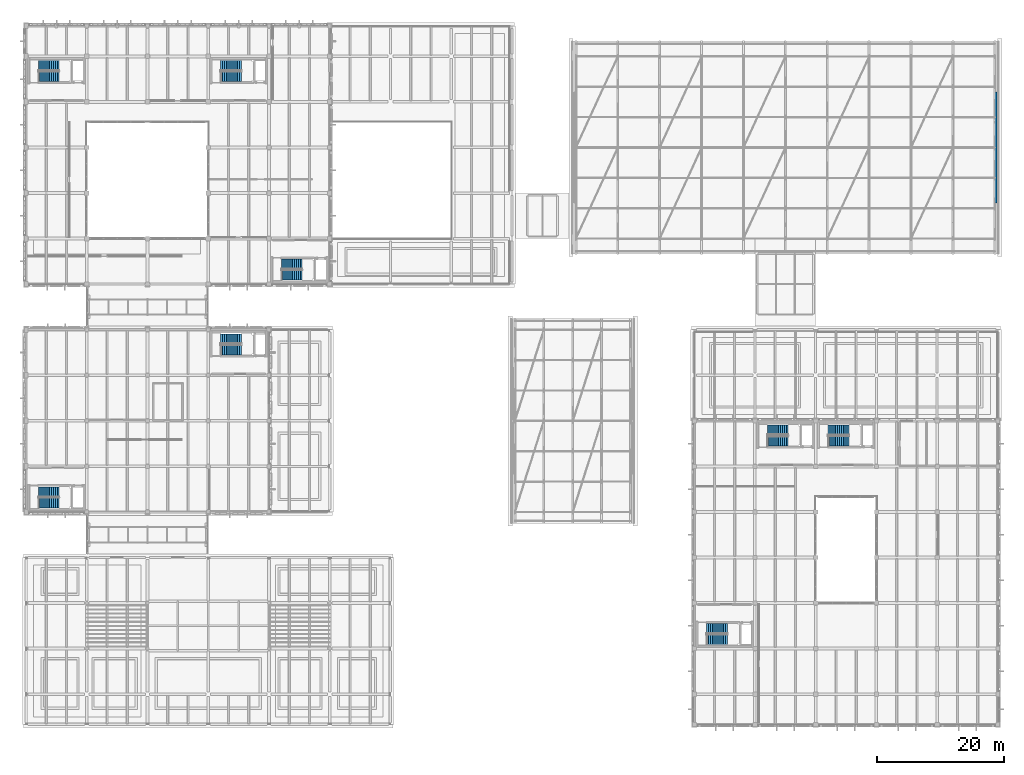
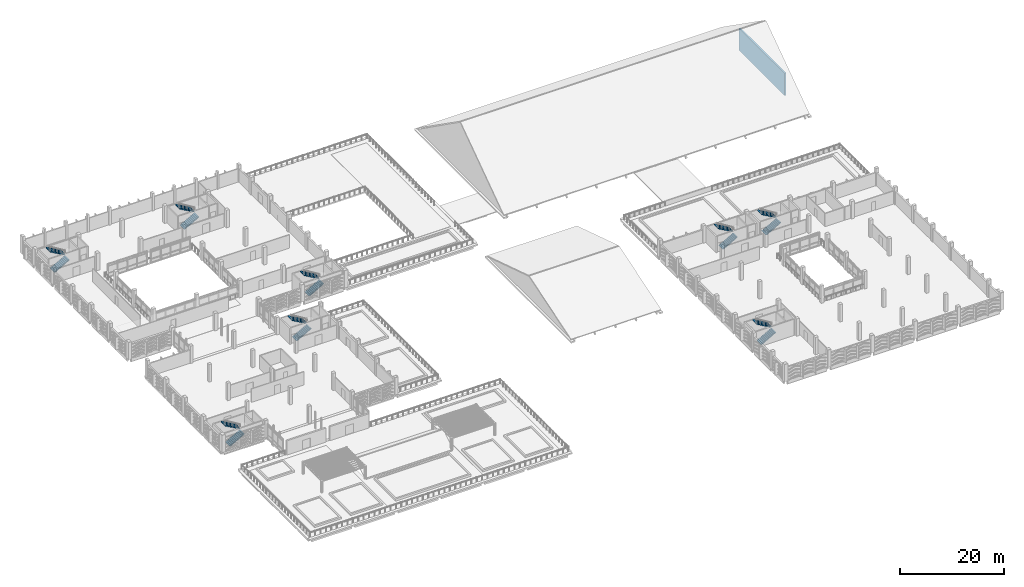
# One storey, part 117 of 134: 16 stair flights, 1 wall, 8 elements without a shape of their own.
"""IFC4 building model written with IfcOpenShell, lengths in metres."""

from ifc_helpers import new_model, si_unit, direction, frame, frame_2d, origin, place, context, subcontext, project, spatial, polyline, rectangle, outline, extrude, material, layer, layer_set, type_object, element, aggregate, save


model = new_model("IFC4")

# Units and contexts
model_context = context("Model", 3, precision=1e-05, world=origin(), true_north=direction((0.0, 1.0)))
body_context = subcontext(model_context, "Body", "Model", "MODEL_VIEW")
ifc_project = project(units=[si_unit("LENGTHUNIT", "METRE"), si_unit("AREAUNIT", "SQUARE_METRE"), si_unit("VOLUMEUNIT", "CUBIC_METRE"), si_unit("PLANEANGLEUNIT", "RADIAN"), si_unit("MASSUNIT", "GRAM", prefix="KILO")], contexts=[model_context])

# Site, building, storey
site_placement = place(None, origin())
site = spatial("IfcSite", under=ifc_project, at=site_placement, CompositionType="ELEMENT")
building_placement = place(site_placement, origin())
building = spatial("IfcBuilding", under=site, at=building_placement, Name="Asteropetra Specialist Clinic", CompositionType="ELEMENT")
storey_placement = place(building_placement, frame((0.0, 0.0, 8.5)))
storey = spatial("IfcBuildingStorey", under=building, at=storey_placement, Name="L02", CompositionType="ELEMENT", Elevation=8.5)

# Wall
ifc_material_1 = material(Name="Pentelic marble ashlar", Category="masonry")
ifc_layer_1 = layer(ifc_material_1, 0.360107421875)
ifc_layer_set_1 = layer_set([ifc_layer_1], Name="Pentelic marble ashlar")
wall_type = type_object("IfcWallType", Name="EW-PENTELIC-360", PredefinedType="SOLIDWALL", material=ifc_layer_set_1)
wall_placement = place(storey_placement, frame((153.25, 82.464111328125, 0.239990234375), z_axis=(0.0, 0.0, 1.0), x_axis=(0.0, 1.0, 0.0)))
element("IfcWall", 1, at=wall_placement, inside=storey, type_object=wall_type, Name="Neoclassical Pediment Backup Wall TP-004", PredefinedType="SOLIDWALL", context=body_context, shape_type="SweptSolid", body=[
    extrude(rectangle(XDim=17.471923828125, YDim=0.360107421875, at=frame_2d((8.73583984375, 0.0))), origin(), (0.0, 0.0, 1.0), 5.218017578125),
])

# Stair, stair flights
ifc_material_2 = material(Name="Concrete C35/45", Category="concrete")
stair_type_1 = type_object("IfcStairType", Name="STR-DOG-155", PredefinedType="TWO_STRAIGHT_RUN_STAIR", material=ifc_material_2)
stair_1_placement = place(storey_placement, origin())
stair_1 = element("IfcStair", 2, at=stair_1_placement, inside=storey, type_object=stair_type_1, Name="Type I Stair ST10-L02", PredefinedType="TWO_STRAIGHT_RUN_STAIR")
ifc_material_3 = material(Name="Concrete C35/45", Category="concrete")
ifc_layer_2 = layer(ifc_material_3, 0.179931640625)
ifc_layer_set_2 = layer_set([ifc_layer_2], Name="Concrete C35/45")
stair_flight_type_1 = type_object("IfcStairFlightType", Name="SFL-STR-155", PredefinedType="STRAIGHT", material=ifc_layer_set_2)
stair_flight_1_placement = place(storey_placement, frame((117.14990234375, 44.794921875, 0.0), z_axis=(0.0, 0.0, 1.0), x_axis=(1.0, 0.0, 0.0)))
stair_flight_1 = element("IfcStairFlight", 3, at=stair_flight_1_placement, type_object=stair_flight_type_1, Name="ST10-L02 flight 1", NumberOfRisers=12, NumberOfTreads=11, PredefinedType="STRAIGHT", RiserHeight=0.17, TreadLength=0.3, context=body_context, shape_type="SweptSolid", body=[
    extrude(outline(polyline([(0.0, 0.0), (0.0, 0.169921875), (0.300048828125, 0.169921875), (0.300048828125, 0.340087890625), (0.60009765625, 0.340087890625), (0.60009765625, 0.510009765625), (0.89990234375, 0.510009765625), (0.89990234375, 0.679931640625), (1.199951171875, 0.679931640625), (1.199951171875, 0.85009765625), (1.5, 0.85009765625), (1.5, 1.02001953125), (1.800048828125, 1.02001953125), (1.800048828125, 1.18994140625), (2.10009765625, 1.18994140625), (2.10009765625, 1.360107421875), (2.39990234375, 1.360107421875), (2.39990234375, 1.530029296875), (2.699951171875, 1.530029296875), (2.699951171875, 1.699951171875), (3.0, 1.699951171875), (3.0, 1.8701171875), (3.300048828125, 1.8701171875), (3.300048828125, 2.0400390625), (3.300048828125, 1.686279296875), (0.324462890625, 0.0), (0.0, 0.0)])), frame((0.0, 0.77490234375, 0.0), z_axis=(0.0, -1.0, 0.0), x_axis=(1.0, 0.0, 0.0)), (0.0, 0.0, 1.0), 1.550048828125),
])
stair_flight_2_placement = place(storey_placement, frame((120.449951171875, 46.5849609375, 2.0400390625), z_axis=(0.0, 0.0, 1.0), x_axis=(-1.0, 0.0, 0.0)))
stair_flight_2 = element("IfcStairFlight", 4, at=stair_flight_2_placement, type_object=stair_flight_type_1, Name="ST10-L02 flight 2", NumberOfRisers=12, NumberOfTreads=11, PredefinedType="STRAIGHT", RiserHeight=0.17, TreadLength=0.3, context=body_context, shape_type="SweptSolid", body=[
    extrude(outline(polyline([(0.0, 0.0), (0.0, 0.169921875), (0.300048828125, 0.169921875), (0.300048828125, 0.340087890625), (0.60009765625, 0.340087890625), (0.60009765625, 0.510009765625), (0.89990234375, 0.510009765625), (0.89990234375, 0.679931640625), (1.199951171875, 0.679931640625), (1.199951171875, 0.85009765625), (1.5, 0.85009765625), (1.5, 1.02001953125), (1.800048828125, 1.02001953125), (1.800048828125, 1.18994140625), (2.10009765625, 1.18994140625), (2.10009765625, 1.360107421875), (2.39990234375, 1.360107421875), (2.39990234375, 1.530029296875), (2.699951171875, 1.530029296875), (2.699951171875, 1.699951171875), (3.0, 1.699951171875), (3.0, 1.8701171875), (3.300048828125, 1.8701171875), (3.300048828125, 2.0400390625), (3.300048828125, 1.686279296875), (0.324462890625, 0.0), (0.0, 0.0)])), frame((0.0, 0.77490234375, 0.0), z_axis=(0.0, -1.0, 0.0), x_axis=(1.0, 0.0, 0.0)), (0.0, 0.0, 1.0), 1.550048828125),
])
aggregate(stair_1, [stair_flight_1, stair_flight_2])

ifc_material_4 = material(Name="Concrete C35/45", Category="concrete")
stair_type_2 = type_object("IfcStairType", Name="STR-DOG-160", PredefinedType="TWO_STRAIGHT_RUN_STAIR", material=ifc_material_4)
stair_2_placement = place(storey_placement, origin())
stair_2 = element("IfcStair", 5, at=stair_2_placement, inside=storey, type_object=stair_type_2, Name="Type I Stair ST03-L02", PredefinedType="TWO_STRAIGHT_RUN_STAIR")
ifc_material_5 = material(Name="Concrete C35/45", Category="concrete")
ifc_layer_3 = layer(ifc_material_5, 0.179931640625)
ifc_layer_set_3 = layer_set([ifc_layer_3], Name="Concrete C35/45")
stair_flight_type_2 = type_object("IfcStairFlightType", Name="SFL-STR-160", PredefinedType="STRAIGHT", material=ifc_layer_set_3)
stair_flight_3_placement = place(storey_placement, frame((40.35009765625, 71.0400390625, 0.0), z_axis=(0.0, 0.0, 1.0), x_axis=(1.0, 0.0, 0.0)))
stair_flight_3 = element("IfcStairFlight", 6, at=stair_flight_3_placement, type_object=stair_flight_type_2, Name="ST03-L02 flight 1", NumberOfRisers=12, NumberOfTreads=11, PredefinedType="STRAIGHT", RiserHeight=0.17, TreadLength=0.3, context=body_context, shape_type="SweptSolid", body=[
    extrude(outline(polyline([(0.0, 0.0), (0.0, 0.169921875), (0.300048828125, 0.169921875), (0.300048828125, 0.340087890625), (0.60009765625, 0.340087890625), (0.60009765625, 0.510009765625), (0.89990234375, 0.510009765625), (0.89990234375, 0.679931640625), (1.199951171875, 0.679931640625), (1.199951171875, 0.85009765625), (1.5, 0.85009765625), (1.5, 1.02001953125), (1.800048828125, 1.02001953125), (1.800048828125, 1.18994140625), (2.10009765625, 1.18994140625), (2.10009765625, 1.360107421875), (2.39990234375, 1.360107421875), (2.39990234375, 1.530029296875), (2.699951171875, 1.530029296875), (2.699951171875, 1.699951171875), (3.0, 1.699951171875), (3.0, 1.8701171875), (3.300048828125, 1.8701171875), (3.300048828125, 2.0400390625), (3.300048828125, 1.686279296875), (0.324462890625, 0.0), (0.0, 0.0)])), frame((0.0, 0.800048828125, 0.0), z_axis=(0.0, -1.0, 0.0), x_axis=(1.0, 0.0, 0.0)), (0.0, 0.0, 1.0), 1.60009765625),
])
stair_flight_4_placement = place(storey_placement, frame((43.64990234375, 72.780029296875, 2.0400390625), z_axis=(0.0, 0.0, 1.0), x_axis=(-1.0, 0.0, 0.0)))
stair_flight_4 = element("IfcStairFlight", 7, at=stair_flight_4_placement, type_object=stair_flight_type_2, Name="ST03-L02 flight 2", NumberOfRisers=12, NumberOfTreads=11, PredefinedType="STRAIGHT", RiserHeight=0.17, TreadLength=0.3, context=body_context, shape_type="SweptSolid", body=[
    extrude(outline(polyline([(0.0, 0.0), (0.0, 0.169921875), (0.300048828125, 0.169921875), (0.300048828125, 0.340087890625), (0.60009765625, 0.340087890625), (0.60009765625, 0.510009765625), (0.89990234375, 0.510009765625), (0.89990234375, 0.679931640625), (1.199951171875, 0.679931640625), (1.199951171875, 0.85009765625), (1.5, 0.85009765625), (1.5, 1.02001953125), (1.800048828125, 1.02001953125), (1.800048828125, 1.18994140625), (2.10009765625, 1.18994140625), (2.10009765625, 1.360107421875), (2.39990234375, 1.360107421875), (2.39990234375, 1.530029296875), (2.699951171875, 1.530029296875), (2.699951171875, 1.699951171875), (3.0, 1.699951171875), (3.0, 1.8701171875), (3.300048828125, 1.8701171875), (3.300048828125, 2.0400390625), (3.300048828125, 1.686279296875), (0.324462890625, 0.0), (0.0, 0.0)])), frame((0.0, 0.800048828125, 0.0), z_axis=(0.0, -1.0, 0.0), x_axis=(1.0, 0.0, 0.0)), (0.0, 0.0, 1.0), 1.60009765625),
])
aggregate(stair_2, [stair_flight_3, stair_flight_4])

stair_3_placement = place(storey_placement, origin())
stair_3 = element("IfcStair", 8, at=stair_3_placement, inside=storey, type_object=stair_type_2, Name="Type I Stair ST05-L02", PredefinedType="TWO_STRAIGHT_RUN_STAIR")
stair_flight_5_placement = place(storey_placement, frame((30.75, 59.219970703125, 0.0), z_axis=(0.0, 0.0, 1.0), x_axis=(1.0, 0.0, 0.0)))
stair_flight_5 = element("IfcStairFlight", 9, at=stair_flight_5_placement, type_object=stair_flight_type_2, Name="ST05-L02 flight 1", NumberOfRisers=12, NumberOfTreads=11, PredefinedType="STRAIGHT", RiserHeight=0.17, TreadLength=0.3, context=body_context, shape_type="SweptSolid", body=[
    extrude(outline(polyline([(0.0, 0.0), (0.0, 0.169921875), (0.300048828125, 0.169921875), (0.300048828125, 0.340087890625), (0.60009765625, 0.340087890625), (0.60009765625, 0.510009765625), (0.89990234375, 0.510009765625), (0.89990234375, 0.679931640625), (1.199951171875, 0.679931640625), (1.199951171875, 0.85009765625), (1.5, 0.85009765625), (1.5, 1.02001953125), (1.800048828125, 1.02001953125), (1.800048828125, 1.18994140625), (2.10009765625, 1.18994140625), (2.10009765625, 1.360107421875), (2.39990234375, 1.360107421875), (2.39990234375, 1.530029296875), (2.699951171875, 1.530029296875), (2.699951171875, 1.699951171875), (3.0, 1.699951171875), (3.0, 1.8701171875), (3.300048828125, 1.8701171875), (3.300048828125, 2.0400390625), (3.300048828125, 1.686279296875), (0.324462890625, 0.0), (0.0, 0.0)])), frame((0.0, 0.800048828125, 0.0), z_axis=(0.0, -1.0, 0.0), x_axis=(1.0, 0.0, 0.0)), (0.0, 0.0, 1.0), 1.60009765625),
])
stair_flight_6_placement = place(storey_placement, frame((34.050048828125, 60.9599609375, 2.0400390625), z_axis=(0.0, 0.0, 1.0), x_axis=(-1.0, 0.0, 0.0)))
stair_flight_6 = element("IfcStairFlight", 10, at=stair_flight_6_placement, type_object=stair_flight_type_2, Name="ST05-L02 flight 2", NumberOfRisers=12, NumberOfTreads=11, PredefinedType="STRAIGHT", RiserHeight=0.17, TreadLength=0.3, context=body_context, shape_type="SweptSolid", body=[
    extrude(outline(polyline([(0.0, 0.0), (0.0, 0.169921875), (0.300048828125, 0.169921875), (0.300048828125, 0.340087890625), (0.60009765625, 0.340087890625), (0.60009765625, 0.510009765625), (0.89990234375, 0.510009765625), (0.89990234375, 0.679931640625), (1.199951171875, 0.679931640625), (1.199951171875, 0.85009765625), (1.5, 0.85009765625), (1.5, 1.02001953125), (1.800048828125, 1.02001953125), (1.800048828125, 1.18994140625), (2.10009765625, 1.18994140625), (2.10009765625, 1.360107421875), (2.39990234375, 1.360107421875), (2.39990234375, 1.530029296875), (2.699951171875, 1.530029296875), (2.699951171875, 1.699951171875), (3.0, 1.699951171875), (3.0, 1.8701171875), (3.300048828125, 1.8701171875), (3.300048828125, 2.0400390625), (3.300048828125, 1.686279296875), (0.324462890625, 0.0), (0.0, 0.0)])), frame((0.0, 0.800048828125, 0.0), z_axis=(0.0, -1.0, 0.0), x_axis=(1.0, 0.0, 0.0)), (0.0, 0.0, 1.0), 1.60009765625),
])
aggregate(stair_3, [stair_flight_5, stair_flight_6])

ifc_material_6 = material(Name="Concrete C35/45", Category="concrete")
stair_type_3 = type_object("IfcStairType", Name="STR-DOG-165", PredefinedType="TWO_STRAIGHT_RUN_STAIR", material=ifc_material_6)
stair_4_placement = place(storey_placement, origin())
stair_4 = element("IfcStair", 11, at=stair_4_placement, inside=storey, type_object=stair_type_3, Name="Type I Stair ST01-L02", PredefinedType="TWO_STRAIGHT_RUN_STAIR")
ifc_material_7 = material(Name="Concrete C35/45", Category="concrete")
ifc_layer_4 = layer(ifc_material_7, 0.179931640625)
ifc_layer_set_4 = layer_set([ifc_layer_4], Name="Concrete C35/45")
stair_flight_type_3 = type_object("IfcStairFlightType", Name="SFL-STR-165", PredefinedType="STRAIGHT", material=ifc_layer_set_4)
stair_flight_7_placement = place(storey_placement, frame((1.949951171875, 102.445068359375, 0.0), z_axis=(0.0, 0.0, 1.0), x_axis=(1.0, 0.0, 0.0)))
stair_flight_7 = element("IfcStairFlight", 12, at=stair_flight_7_placement, type_object=stair_flight_type_3, Name="ST01-L02 flight 1", NumberOfRisers=12, NumberOfTreads=11, PredefinedType="STRAIGHT", RiserHeight=0.17, TreadLength=0.3, context=body_context, shape_type="SweptSolid", body=[
    extrude(outline(polyline([(0.0, 0.0), (0.0, 0.169921875), (0.300048828125, 0.169921875), (0.300048828125, 0.340087890625), (0.60009765625, 0.340087890625), (0.60009765625, 0.510009765625), (0.89990234375, 0.510009765625), (0.89990234375, 0.679931640625), (1.199951171875, 0.679931640625), (1.199951171875, 0.85009765625), (1.5, 0.85009765625), (1.5, 1.02001953125), (1.800048828125, 1.02001953125), (1.800048828125, 1.18994140625), (2.10009765625, 1.18994140625), (2.10009765625, 1.360107421875), (2.39990234375, 1.360107421875), (2.39990234375, 1.530029296875), (2.699951171875, 1.530029296875), (2.699951171875, 1.699951171875), (3.0, 1.699951171875), (3.0, 1.8701171875), (3.300048828125, 1.8701171875), (3.300048828125, 2.0400390625), (3.300048828125, 1.686279296875), (0.324462890625, 0.0), (0.0, 0.0)])), frame((0.0, 0.824951171875, 0.0), z_axis=(0.0, -1.0, 0.0), x_axis=(1.0, 0.0, 0.0)), (0.0, 0.0, 1.0), 1.64990234375),
])
stair_flight_8_placement = place(storey_placement, frame((5.25, 104.135009765625, 2.0400390625), z_axis=(0.0, 0.0, 1.0), x_axis=(-1.0, 0.0, 0.0)))
stair_flight_8 = element("IfcStairFlight", 13, at=stair_flight_8_placement, type_object=stair_flight_type_3, Name="ST01-L02 flight 2", NumberOfRisers=12, NumberOfTreads=11, PredefinedType="STRAIGHT", RiserHeight=0.17, TreadLength=0.3, context=body_context, shape_type="SweptSolid", body=[
    extrude(outline(polyline([(0.0, 0.0), (0.0, 0.169921875), (0.300048828125, 0.169921875), (0.300048828125, 0.340087890625), (0.60009765625, 0.340087890625), (0.60009765625, 0.510009765625), (0.89990234375, 0.510009765625), (0.89990234375, 0.679931640625), (1.199951171875, 0.679931640625), (1.199951171875, 0.85009765625), (1.5, 0.85009765625), (1.5, 1.02001953125), (1.800048828125, 1.02001953125), (1.800048828125, 1.18994140625), (2.10009765625, 1.18994140625), (2.10009765625, 1.360107421875), (2.39990234375, 1.360107421875), (2.39990234375, 1.530029296875), (2.699951171875, 1.530029296875), (2.699951171875, 1.699951171875), (3.0, 1.699951171875), (3.0, 1.8701171875), (3.300048828125, 1.8701171875), (3.300048828125, 2.0400390625), (3.300048828125, 1.686279296875), (0.324462890625, 0.0), (0.0, 0.0)])), frame((0.0, 0.824951171875, 0.0), z_axis=(0.0, -1.0, 0.0), x_axis=(1.0, 0.0, 0.0)), (0.0, 0.0, 1.0), 1.64990234375),
])
aggregate(stair_4, [stair_flight_7, stair_flight_8])

stair_5_placement = place(storey_placement, origin())
stair_5 = element("IfcStair", 14, at=stair_5_placement, inside=storey, type_object=stair_type_3, Name="Type I Stair ST02-L02", PredefinedType="TWO_STRAIGHT_RUN_STAIR")
stair_flight_9_placement = place(storey_placement, frame((30.75, 102.445068359375, 0.0), z_axis=(0.0, 0.0, 1.0), x_axis=(1.0, 0.0, 0.0)))
stair_flight_9 = element("IfcStairFlight", 15, at=stair_flight_9_placement, type_object=stair_flight_type_3, Name="ST02-L02 flight 1", NumberOfRisers=12, NumberOfTreads=11, PredefinedType="STRAIGHT", RiserHeight=0.17, TreadLength=0.3, context=body_context, shape_type="SweptSolid", body=[
    extrude(outline(polyline([(0.0, 0.0), (0.0, 0.169921875), (0.300048828125, 0.169921875), (0.300048828125, 0.340087890625), (0.60009765625, 0.340087890625), (0.60009765625, 0.510009765625), (0.89990234375, 0.510009765625), (0.89990234375, 0.679931640625), (1.199951171875, 0.679931640625), (1.199951171875, 0.85009765625), (1.5, 0.85009765625), (1.5, 1.02001953125), (1.800048828125, 1.02001953125), (1.800048828125, 1.18994140625), (2.10009765625, 1.18994140625), (2.10009765625, 1.360107421875), (2.39990234375, 1.360107421875), (2.39990234375, 1.530029296875), (2.699951171875, 1.530029296875), (2.699951171875, 1.699951171875), (3.0, 1.699951171875), (3.0, 1.8701171875), (3.300048828125, 1.8701171875), (3.300048828125, 2.0400390625), (3.300048828125, 1.686279296875), (0.324462890625, 0.0), (0.0, 0.0)])), frame((0.0, 0.824951171875, 0.0), z_axis=(0.0, -1.0, 0.0), x_axis=(1.0, 0.0, 0.0)), (0.0, 0.0, 1.0), 1.64990234375),
])
stair_flight_10_placement = place(storey_placement, frame((34.050048828125, 104.135009765625, 2.0400390625), z_axis=(0.0, 0.0, 1.0), x_axis=(-1.0, 0.0, 0.0)))
stair_flight_10 = element("IfcStairFlight", 16, at=stair_flight_10_placement, type_object=stair_flight_type_3, Name="ST02-L02 flight 2", NumberOfRisers=12, NumberOfTreads=11, PredefinedType="STRAIGHT", RiserHeight=0.17, TreadLength=0.3, context=body_context, shape_type="SweptSolid", body=[
    extrude(outline(polyline([(0.0, 0.0), (0.0, 0.169921875), (0.300048828125, 0.169921875), (0.300048828125, 0.340087890625), (0.60009765625, 0.340087890625), (0.60009765625, 0.510009765625), (0.89990234375, 0.510009765625), (0.89990234375, 0.679931640625), (1.199951171875, 0.679931640625), (1.199951171875, 0.85009765625), (1.5, 0.85009765625), (1.5, 1.02001953125), (1.800048828125, 1.02001953125), (1.800048828125, 1.18994140625), (2.10009765625, 1.18994140625), (2.10009765625, 1.360107421875), (2.39990234375, 1.360107421875), (2.39990234375, 1.530029296875), (2.699951171875, 1.530029296875), (2.699951171875, 1.699951171875), (3.0, 1.699951171875), (3.0, 1.8701171875), (3.300048828125, 1.8701171875), (3.300048828125, 2.0400390625), (3.300048828125, 1.686279296875), (0.324462890625, 0.0), (0.0, 0.0)])), frame((0.0, 0.824951171875, 0.0), z_axis=(0.0, -1.0, 0.0), x_axis=(1.0, 0.0, 0.0)), (0.0, 0.0, 1.0), 1.64990234375),
])
aggregate(stair_5, [stair_flight_9, stair_flight_10])

stair_6_placement = place(storey_placement, origin())
stair_6 = element("IfcStair", 17, at=stair_6_placement, inside=storey, type_object=stair_type_3, Name="Type I Stair ST04-L02", PredefinedType="TWO_STRAIGHT_RUN_STAIR")
stair_flight_11_placement = place(storey_placement, frame((1.949951171875, 35.06494140625, 0.0), z_axis=(0.0, 0.0, 1.0), x_axis=(1.0, 0.0, 0.0)))
stair_flight_11 = element("IfcStairFlight", 18, at=stair_flight_11_placement, type_object=stair_flight_type_3, Name="ST04-L02 flight 1", NumberOfRisers=12, NumberOfTreads=11, PredefinedType="STRAIGHT", RiserHeight=0.17, TreadLength=0.3, context=body_context, shape_type="SweptSolid", body=[
    extrude(outline(polyline([(0.0, 0.0), (0.0, 0.169921875), (0.300048828125, 0.169921875), (0.300048828125, 0.340087890625), (0.60009765625, 0.340087890625), (0.60009765625, 0.510009765625), (0.89990234375, 0.510009765625), (0.89990234375, 0.679931640625), (1.199951171875, 0.679931640625), (1.199951171875, 0.85009765625), (1.5, 0.85009765625), (1.5, 1.02001953125), (1.800048828125, 1.02001953125), (1.800048828125, 1.18994140625), (2.10009765625, 1.18994140625), (2.10009765625, 1.360107421875), (2.39990234375, 1.360107421875), (2.39990234375, 1.530029296875), (2.699951171875, 1.530029296875), (2.699951171875, 1.699951171875), (3.0, 1.699951171875), (3.0, 1.8701171875), (3.300048828125, 1.8701171875), (3.300048828125, 2.0400390625), (3.300048828125, 1.686279296875), (0.324462890625, 0.0), (0.0, 0.0)])), frame((0.0, 0.824951171875, 0.0), z_axis=(0.0, -1.0, 0.0), x_axis=(1.0, 0.0, 0.0)), (0.0, 0.0, 1.0), 1.64990234375),
])
stair_flight_12_placement = place(storey_placement, frame((5.25, 36.7548828125, 2.0400390625), z_axis=(0.0, 0.0, 1.0), x_axis=(-1.0, 0.0, 0.0)))
stair_flight_12 = element("IfcStairFlight", 19, at=stair_flight_12_placement, type_object=stair_flight_type_3, Name="ST04-L02 flight 2", NumberOfRisers=12, NumberOfTreads=11, PredefinedType="STRAIGHT", RiserHeight=0.17, TreadLength=0.3, context=body_context, shape_type="SweptSolid", body=[
    extrude(outline(polyline([(0.0, 0.0), (0.0, 0.169921875), (0.300048828125, 0.169921875), (0.300048828125, 0.340087890625), (0.60009765625, 0.340087890625), (0.60009765625, 0.510009765625), (0.89990234375, 0.510009765625), (0.89990234375, 0.679931640625), (1.199951171875, 0.679931640625), (1.199951171875, 0.85009765625), (1.5, 0.85009765625), (1.5, 1.02001953125), (1.800048828125, 1.02001953125), (1.800048828125, 1.18994140625), (2.10009765625, 1.18994140625), (2.10009765625, 1.360107421875), (2.39990234375, 1.360107421875), (2.39990234375, 1.530029296875), (2.699951171875, 1.530029296875), (2.699951171875, 1.699951171875), (3.0, 1.699951171875), (3.0, 1.8701171875), (3.300048828125, 1.8701171875), (3.300048828125, 2.0400390625), (3.300048828125, 1.686279296875), (0.324462890625, 0.0), (0.0, 0.0)])), frame((0.0, 0.824951171875, 0.0), z_axis=(0.0, -1.0, 0.0), x_axis=(1.0, 0.0, 0.0)), (0.0, 0.0, 1.0), 1.64990234375),
])
aggregate(stair_6, [stair_flight_11, stair_flight_12])

stair_7_placement = place(storey_placement, origin())
stair_7 = element("IfcStair", 20, at=stair_7_placement, inside=storey, type_object=stair_type_3, Name="Type I Stair ST08-L02", PredefinedType="TWO_STRAIGHT_RUN_STAIR")
stair_flight_13_placement = place(storey_placement, frame((107.550048828125, 13.465087890625, 0.0), z_axis=(0.0, 0.0, 1.0), x_axis=(1.0, 0.0, 0.0)))
stair_flight_13 = element("IfcStairFlight", 21, at=stair_flight_13_placement, type_object=stair_flight_type_3, Name="ST08-L02 flight 1", NumberOfRisers=12, NumberOfTreads=11, PredefinedType="STRAIGHT", RiserHeight=0.17, TreadLength=0.3, context=body_context, shape_type="SweptSolid", body=[
    extrude(outline(polyline([(0.0, 0.0), (0.0, 0.169921875), (0.300048828125, 0.169921875), (0.300048828125, 0.340087890625), (0.60009765625, 0.340087890625), (0.60009765625, 0.510009765625), (0.89990234375, 0.510009765625), (0.89990234375, 0.679931640625), (1.199951171875, 0.679931640625), (1.199951171875, 0.85009765625), (1.5, 0.85009765625), (1.5, 1.02001953125), (1.800048828125, 1.02001953125), (1.800048828125, 1.18994140625), (2.10009765625, 1.18994140625), (2.10009765625, 1.360107421875), (2.39990234375, 1.360107421875), (2.39990234375, 1.530029296875), (2.699951171875, 1.530029296875), (2.699951171875, 1.699951171875), (3.0, 1.699951171875), (3.0, 1.8701171875), (3.300048828125, 1.8701171875), (3.300048828125, 2.0400390625), (3.300048828125, 1.686279296875), (0.324462890625, 0.0), (0.0, 0.0)])), frame((0.0, 0.824951171875, 0.0), z_axis=(0.0, -1.0, 0.0), x_axis=(1.0, 0.0, 0.0)), (0.0, 0.0, 1.0), 1.64990234375),
])
stair_flight_14_placement = place(storey_placement, frame((110.85009765625, 15.155029296875, 2.0400390625), z_axis=(0.0, 0.0, 1.0), x_axis=(-1.0, 0.0, 0.0)))
stair_flight_14 = element("IfcStairFlight", 22, at=stair_flight_14_placement, type_object=stair_flight_type_3, Name="ST08-L02 flight 2", NumberOfRisers=12, NumberOfTreads=11, PredefinedType="STRAIGHT", RiserHeight=0.17, TreadLength=0.3, context=body_context, shape_type="SweptSolid", body=[
    extrude(outline(polyline([(0.0, 0.0), (0.0, 0.169921875), (0.300048828125, 0.169921875), (0.300048828125, 0.340087890625), (0.60009765625, 0.340087890625), (0.60009765625, 0.510009765625), (0.89990234375, 0.510009765625), (0.89990234375, 0.679931640625), (1.199951171875, 0.679931640625), (1.199951171875, 0.85009765625), (1.5, 0.85009765625), (1.5, 1.02001953125), (1.800048828125, 1.02001953125), (1.800048828125, 1.18994140625), (2.10009765625, 1.18994140625), (2.10009765625, 1.360107421875), (2.39990234375, 1.360107421875), (2.39990234375, 1.530029296875), (2.699951171875, 1.530029296875), (2.699951171875, 1.699951171875), (3.0, 1.699951171875), (3.0, 1.8701171875), (3.300048828125, 1.8701171875), (3.300048828125, 2.0400390625), (3.300048828125, 1.686279296875), (0.324462890625, 0.0), (0.0, 0.0)])), frame((0.0, 0.824951171875, 0.0), z_axis=(0.0, -1.0, 0.0), x_axis=(1.0, 0.0, 0.0)), (0.0, 0.0, 1.0), 1.64990234375),
])
aggregate(stair_7, [stair_flight_13, stair_flight_14])

stair_8_placement = place(storey_placement, origin())
stair_8 = element("IfcStair", 23, at=stair_8_placement, inside=storey, type_object=stair_type_3, Name="Type I Stair ST09-L02", PredefinedType="TWO_STRAIGHT_RUN_STAIR")
stair_flight_15_placement = place(storey_placement, frame((126.75, 44.844970703125, 0.0), z_axis=(0.0, 0.0, 1.0), x_axis=(1.0, 0.0, 0.0)))
stair_flight_15 = element("IfcStairFlight", 24, at=stair_flight_15_placement, type_object=stair_flight_type_3, Name="ST09-L02 flight 1", NumberOfRisers=12, NumberOfTreads=11, PredefinedType="STRAIGHT", RiserHeight=0.17, TreadLength=0.3, context=body_context, shape_type="SweptSolid", body=[
    extrude(outline(polyline([(0.0, 0.0), (0.0, 0.169921875), (0.300048828125, 0.169921875), (0.300048828125, 0.340087890625), (0.60009765625, 0.340087890625), (0.60009765625, 0.510009765625), (0.89990234375, 0.510009765625), (0.89990234375, 0.679931640625), (1.199951171875, 0.679931640625), (1.199951171875, 0.85009765625), (1.5, 0.85009765625), (1.5, 1.02001953125), (1.800048828125, 1.02001953125), (1.800048828125, 1.18994140625), (2.10009765625, 1.18994140625), (2.10009765625, 1.360107421875), (2.39990234375, 1.360107421875), (2.39990234375, 1.530029296875), (2.699951171875, 1.530029296875), (2.699951171875, 1.699951171875), (3.0, 1.699951171875), (3.0, 1.8701171875), (3.300048828125, 1.8701171875), (3.300048828125, 2.0400390625), (3.300048828125, 1.686279296875), (0.324462890625, 0.0), (0.0, 0.0)])), frame((0.0, 0.824951171875, 0.0), z_axis=(0.0, -1.0, 0.0), x_axis=(1.0, 0.0, 0.0)), (0.0, 0.0, 1.0), 1.64990234375),
])
stair_flight_16_placement = place(storey_placement, frame((130.050048828125, 46.534912109375, 2.0400390625), z_axis=(0.0, 0.0, 1.0), x_axis=(-1.0, 0.0, 0.0)))
stair_flight_16 = element("IfcStairFlight", 25, at=stair_flight_16_placement, type_object=stair_flight_type_3, Name="ST09-L02 flight 2", NumberOfRisers=12, NumberOfTreads=11, PredefinedType="STRAIGHT", RiserHeight=0.17, TreadLength=0.3, context=body_context, shape_type="SweptSolid", body=[
    extrude(outline(polyline([(0.0, 0.0), (0.0, 0.169921875), (0.300048828125, 0.169921875), (0.300048828125, 0.340087890625), (0.60009765625, 0.340087890625), (0.60009765625, 0.510009765625), (0.89990234375, 0.510009765625), (0.89990234375, 0.679931640625), (1.199951171875, 0.679931640625), (1.199951171875, 0.85009765625), (1.5, 0.85009765625), (1.5, 1.02001953125), (1.800048828125, 1.02001953125), (1.800048828125, 1.18994140625), (2.10009765625, 1.18994140625), (2.10009765625, 1.360107421875), (2.39990234375, 1.360107421875), (2.39990234375, 1.530029296875), (2.699951171875, 1.530029296875), (2.699951171875, 1.699951171875), (3.0, 1.699951171875), (3.0, 1.8701171875), (3.300048828125, 1.8701171875), (3.300048828125, 2.0400390625), (3.300048828125, 1.686279296875), (0.324462890625, 0.0), (0.0, 0.0)])), frame((0.0, 0.824951171875, 0.0), z_axis=(0.0, -1.0, 0.0), x_axis=(1.0, 0.0, 0.0)), (0.0, 0.0, 1.0), 1.64990234375),
])
aggregate(stair_8, [stair_flight_15, stair_flight_16])

save(model, "model.ifc")
